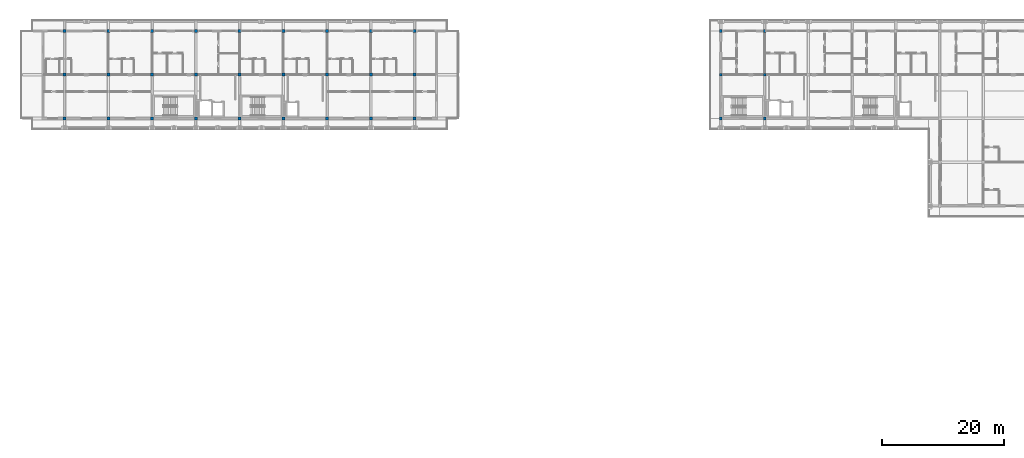
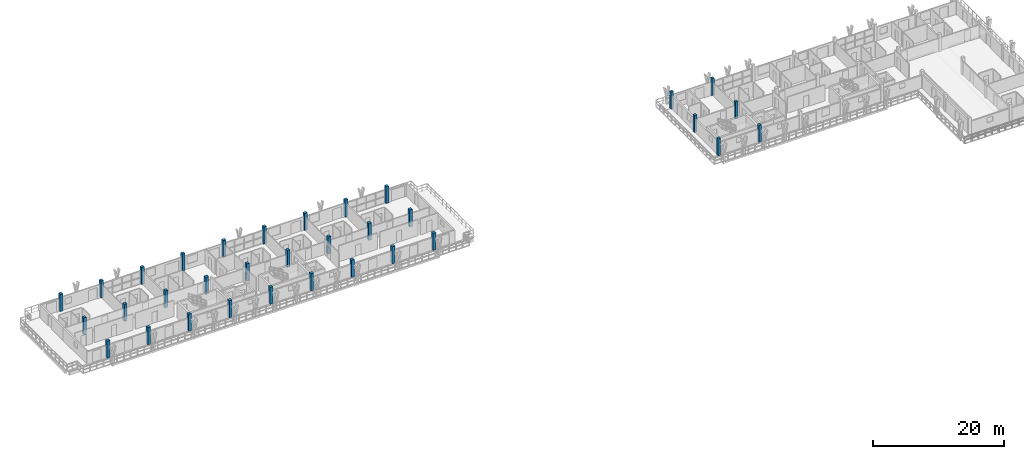
# One storey, part 2 of 45: 33 columns.
"""IFC4 building model written with IfcOpenShell, lengths in metres."""

from ifc_helpers import new_model, si_unit, direction, frame, origin, origin_2d, place, context, subcontext, project, spatial, rectangle, extrude, material, material_profile, profile_set, type_object, element, save


model = new_model("IFC4")

# Units and contexts
model_context = context("Model", 3, precision=1e-05, world=origin(), true_north=direction((0.0, 1.0)))
body_context = subcontext(model_context, "Body", "Model", "MODEL_VIEW")
ifc_project = project(units=[si_unit("LENGTHUNIT", "METRE"), si_unit("AREAUNIT", "SQUARE_METRE"), si_unit("VOLUMEUNIT", "CUBIC_METRE"), si_unit("PLANEANGLEUNIT", "RADIAN"), si_unit("MASSUNIT", "GRAM", prefix="KILO")], contexts=[model_context])

# Site, building, storey
site_placement = place(None, origin())
site = spatial("IfcSite", under=ifc_project, at=site_placement, CompositionType="ELEMENT")
building_placement = place(site_placement, origin())
building = spatial("IfcBuilding", under=site, at=building_placement, Name="Suanplinth Sawtooth Commons", CompositionType="ELEMENT")
storey_placement = place(building_placement, frame((0.0, 0.0, 38.0)))
storey = spatial("IfcBuildingStorey", under=building, at=storey_placement, Name="L11", CompositionType="ELEMENT", Elevation=38.0)

# Columns
ifc_material = material(Name="Precast concrete C40/50", Category="concrete")
ifc_material_profile_1 = material_profile(ifc_material, rectangle(XDim=0.5, YDim=0.5, at=origin_2d()), Name="PC-COL 500x500")
ifc_profile_set_1 = profile_set([ifc_material_profile_1], Name="Precast concrete C40/50")
column_type_1 = type_object("IfcColumnType", Name="C-06", PredefinedType="COLUMN", material=ifc_profile_set_1)
for number, where, z_axis, x_axis, name in (
    (1, (28.800048828125, 108.0, 0.0), (0.0, 0.0, 1.0), (1.0, 0.0, 0.0), "Column L11 5/R"),
    (2, (28.800048828125, 115.199951171875, 0.0), (0.0, 0.0, 1.0), (1.0, 0.0, 0.0), "Column L11 5/S"),
    (3, (28.800048828125, 122.39990234375, 0.0), (0.0, 0.0, 1.0), (1.0, 0.0, 0.0), "Column L11 5/T"),
    (4, (36.0, 108.0, 0.0), (0.0, 0.0, 1.0), (1.0, 0.0, 0.0), "Column L11 6/R"),
    (5, (36.0, 115.199951171875, 0.0), (0.0, 0.0, 1.0), (1.0, 0.0, 0.0), "Column L11 6/S"),
    (6, (36.0, 122.39990234375, 0.0), (0.0, 0.0, 1.0), (1.0, 0.0, 0.0), "Column L11 6/T"),
    (7, (43.199951171875, 108.0, 0.0), (0.0, 0.0, 1.0), (1.0, 0.0, 0.0), "Column L11 7/R"),
    (8, (43.199951171875, 115.199951171875, 0.0), (0.0, 0.0, 1.0), (1.0, 0.0, 0.0), "Column L11 7/S"),
    (9, (43.199951171875, 122.39990234375, 0.0), (0.0, 0.0, 1.0), (1.0, 0.0, 0.0), "Column L11 7/T"),
    (10, (50.39990234375, 108.0, 0.0), (0.0, 0.0, 1.0), (1.0, 0.0, 0.0), "Column L11 8/R"),
    (11, (50.39990234375, 115.199951171875, 0.0), (0.0, 0.0, 1.0), (1.0, 0.0, 0.0), "Column L11 8/S"),
    (12, (50.39990234375, 122.39990234375, 0.0), (0.0, 0.0, 1.0), (1.0, 0.0, 0.0), "Column L11 8/T"),
    (13, (57.60009765625, 108.0, 0.0), (0.0, 0.0, 1.0), (1.0, 0.0, 0.0), "Column L11 9/R"),
    (14, (57.60009765625, 115.199951171875, 0.0), (0.0, 0.0, 1.0), (1.0, 0.0, 0.0), "Column L11 9/S"),
    (15, (57.60009765625, 122.39990234375, 0.0), (0.0, 0.0, 1.0), (1.0, 0.0, 0.0), "Column L11 9/T"),
    (16, (64.800048828125, 108.0, 0.0), (0.0, 0.0, 1.0), (1.0, 0.0, 0.0), "Column L11 10/R"),
    (17, (64.800048828125, 115.199951171875, 0.0), (0.0, 0.0, 1.0), (1.0, 0.0, 0.0), "Column L11 10/S"),
    (18, (64.800048828125, 122.39990234375, 0.0), (0.0, 0.0, 1.0), (1.0, 0.0, 0.0), "Column L11 10/T"),
    (19, (72.0, 108.0, 0.0), (0.0, 0.0, 1.0), (1.0, 0.0, 0.0), "Column L11 11/R"),
    (20, (72.0, 115.199951171875, 0.0), (0.0, 0.0, 1.0), (1.0, 0.0, 0.0), "Column L11 11/S"),
    (21, (72.0, 122.39990234375, 0.0), (0.0, 0.0, 1.0), (1.0, 0.0, 0.0), "Column L11 11/T"),
    (22, (79.199951171875, 108.0, 0.0), (0.0, 0.0, 1.0), (1.0, 0.0, 0.0), "Column L11 12/R"),
    (23, (79.199951171875, 115.199951171875, 0.0), (0.0, 0.0, 1.0), (1.0, 0.0, 0.0), "Column L11 12/S"),
    (24, (79.199951171875, 122.39990234375, 0.0), (0.0, 0.0, 1.0), (1.0, 0.0, 0.0), "Column L11 12/T"),
    (25, (86.39990234375, 108.0, 0.0), (0.0, 0.0, 1.0), (1.0, 0.0, 0.0), "Column L11 13/R"),
    (26, (86.39990234375, 115.199951171875, 0.0), (0.0, 0.0, 1.0), (1.0, 0.0, 0.0), "Column L11 13/S"),
    (27, (86.39990234375, 122.39990234375, 0.0), (0.0, 0.0, 1.0), (1.0, 0.0, 0.0), "Column L11 13/T"),
):
    element("IfcColumn", number, at=place(storey_placement, frame(where, z_axis=z_axis, x_axis=x_axis)), inside=storey, type_object=column_type_1, Name=name, PredefinedType="COLUMN", context=body_context, shape_type="SweptSolid", body=[
        extrude(rectangle(XDim=0.5, YDim=0.5, at=origin_2d()), origin(), (0.0, 0.0, 1.0), 3.199951171875),
    ])
ifc_material_profile_2 = material_profile(ifc_material, rectangle(XDim=0.449951171875, YDim=0.449951171875, at=origin_2d()), Name="PC-COL 450x450")
ifc_profile_set_2 = profile_set([ifc_material_profile_2], Name="Precast concrete C40/50")
column_type_2 = type_object("IfcColumnType", Name="C-07", PredefinedType="COLUMN", material=ifc_profile_set_2)
for number, where, z_axis, x_axis, name in (
    (28, (136.800048828125, 108.0, 0.0), (0.0, 0.0, 1.0), (1.0, 0.0, 0.0), "Column L11 20/R"),
    (29, (136.800048828125, 115.199951171875, 0.0), (0.0, 0.0, 1.0), (1.0, 0.0, 0.0), "Column L11 20/S"),
    (30, (136.800048828125, 122.39990234375, 0.0), (0.0, 0.0, 1.0), (1.0, 0.0, 0.0), "Column L11 20/T"),
    (31, (144.0, 108.0, 0.0), (0.0, 0.0, 1.0), (1.0, 0.0, 0.0), "Column L11 21/R"),
    (32, (144.0, 115.199951171875, 0.0), (0.0, 0.0, 1.0), (1.0, 0.0, 0.0), "Column L11 21/S"),
    (33, (144.0, 122.39990234375, 0.0), (0.0, 0.0, 1.0), (1.0, 0.0, 0.0), "Column L11 21/T"),
):
    element("IfcColumn", number, at=place(storey_placement, frame(where, z_axis=z_axis, x_axis=x_axis)), inside=storey, type_object=column_type_2, Name=name, PredefinedType="COLUMN", context=body_context, shape_type="SweptSolid", body=[
        extrude(rectangle(XDim=0.449951171875, YDim=0.449951171875, at=origin_2d()), origin(), (0.0, 0.0, 1.0), 3.199951171875),
    ])

save(model, "model.ifc")
